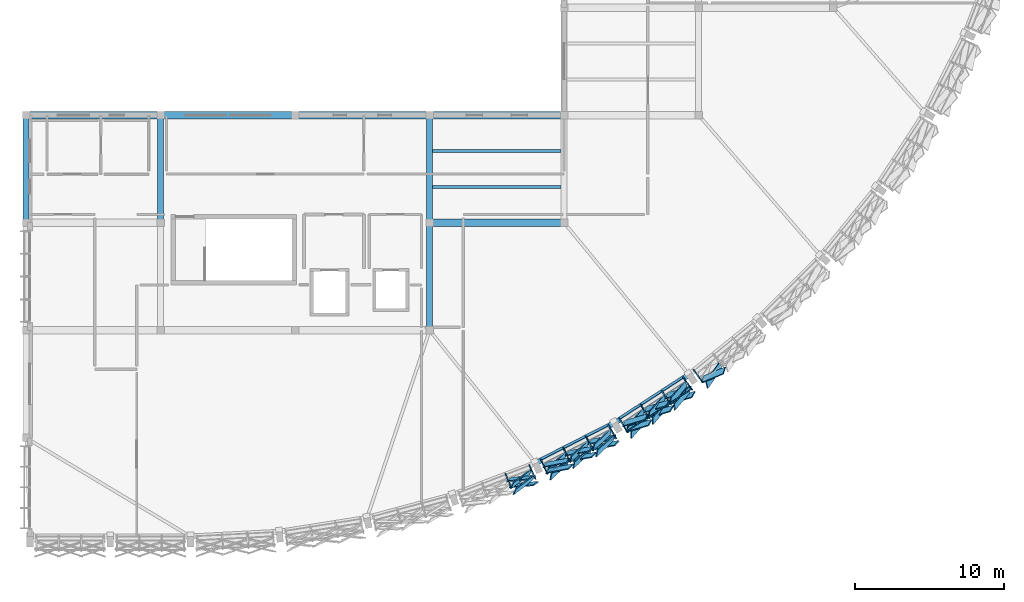
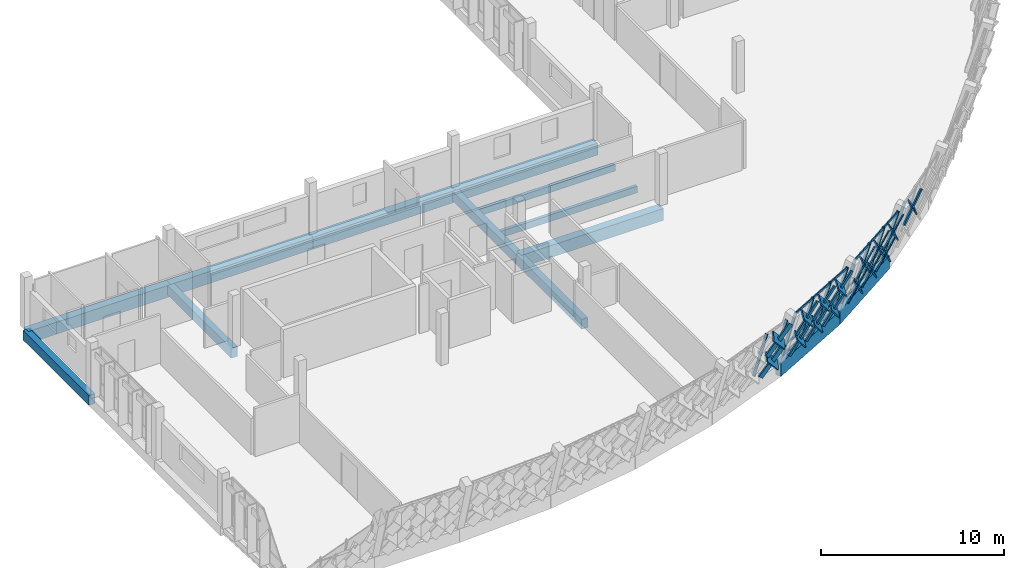
# One storey, part 8 of 24: 47 members, 13 beams, 4 elements without a shape of their own.
"""IFC4 building model written with IfcOpenShell, lengths in metres."""

import ifcopenshell
import ifcopenshell.guid

model = None  # the IFC model being written
_history = None  # IfcOwnerHistory: only IFC2X3 demands one
_inside = {}  # id of a spatial element -> (the spatial element, [elements in it])
_under = {}  # id of a project, library or spatial element -> (it, [spatial elements below it])
_declared = {}  # id of a project -> (the project, [libraries it declares])
_typed = {}  # id of a type object -> (the type object, [elements of that type])
_made_of = {}  # id of a material, layer set ... -> (it, [elements and type objects made of it])


def new_model(schema):
    """Start an empty IFC model of exactly this schema.

    Asked for "IFC4X3", IfcOpenShell would pick the latest addendum, in which some entities
    have other attributes; the version numbers below select the first issue.
    IFC2X3 requires an IfcOwnerHistory on every rooted entity: one is made here for all.
    """
    global model, _history
    if schema == "IFC4X3":
        model = ifcopenshell.file(schema_version=(4, 3, 0, 0))
    else:
        model = ifcopenshell.file(schema=schema)
    _inside.clear()
    _under.clear()
    _declared.clear()
    _typed.clear()
    _made_of.clear()
    _history = None
    if model.schema == "IFC2X3":
        org = make("IfcOrganization", Name="unknown")
        user = make(
            "IfcPersonAndOrganization",
            ThePerson=make("IfcPerson", FamilyName="unknown"),
            TheOrganization=org,
        )
        app = make(
            "IfcApplication",
            ApplicationDeveloper=org,
            Version="unknown",
            ApplicationFullName="unknown",
            ApplicationIdentifier="unknown",
        )
        _history = make(
            "IfcOwnerHistory",
            OwningUser=user,
            OwningApplication=app,
            ChangeAction="ADDED",
            CreationDate=0,
        )
    return model


def make(cls, **values):
    """One entity of the class cls with the attributes given. An attribute that is None is left unset."""
    return model.create_entity(
        cls, **{name: value for name, value in values.items() if value is not None}
    )


def rooted(cls, **values):
    """An entity with a GlobalId (a new one), such as an element, a storey or a relation."""
    return make(cls, GlobalId=ifcopenshell.guid.new(), OwnerHistory=_history, **values)


def si_unit(unit_type, name, prefix=None):
    """IfcSIUnit, for example si_unit("LENGTHUNIT", "METRE", prefix="MILLI")."""
    return make("IfcSIUnit", UnitType=unit_type, Prefix=prefix, Name=name)


def assignment(units):
    """IfcUnitAssignment: the units of a project."""
    return None if units is None else make("IfcUnitAssignment", Units=units)


def point(xyz):
    """IfcCartesianPoint."""
    return None if xyz is None else make("IfcCartesianPoint", Coordinates=xyz)


def direction(xyz):
    """IfcDirection."""
    return None if xyz is None else make("IfcDirection", DirectionRatios=xyz)


def frame(location, z_axis=None, x_axis=None):
    """IfcAxis2Placement3D, a coordinate frame: its origin and axes. An axis left out is left unset."""
    return make(
        "IfcAxis2Placement3D",
        Location=point(location),
        Axis=direction(z_axis),
        RefDirection=direction(x_axis),
    )


def frame_2d(location, x_axis=None):
    """IfcAxis2Placement2D, a coordinate frame in the plane: its origin and x axis."""
    return make(
        "IfcAxis2Placement2D", Location=point(location), RefDirection=direction(x_axis)
    )


def origin():
    """The frame at (0, 0, 0) with its axes left unset."""
    return frame((0.0, 0.0, 0.0))


def origin_2d():
    """The frame at (0, 0) in the plane with its x axis left unset."""
    return frame_2d((0.0, 0.0))


def place(relative_to, where):
    """IfcLocalPlacement: puts the frame where relative to a parent placement (None: the world)."""
    return make(
        "IfcLocalPlacement", PlacementRelTo=relative_to, RelativePlacement=where
    )


def context(
    kind, dimensions, precision=None, world=None, true_north=None, identifier=None
):
    """IfcGeometricRepresentationContext, for example the 3D "Model" context."""
    return make(
        "IfcGeometricRepresentationContext",
        ContextIdentifier=identifier,
        ContextType=kind,
        CoordinateSpaceDimension=dimensions,
        Precision=precision,
        WorldCoordinateSystem=world,
        TrueNorth=true_north,
    )


def subcontext(parent, identifier, kind, view, scale=None):
    """IfcGeometricRepresentationSubContext, for example "Body" below "Model"."""
    return make(
        "IfcGeometricRepresentationSubContext",
        ContextIdentifier=identifier,
        ContextType=kind,
        ParentContext=parent,
        TargetScale=scale,
        TargetView=view,
    )


def project(units=None, contexts=None):
    """IfcProject with its units and contexts."""
    return rooted(
        "IfcProject",
        Name="project",
        RepresentationContexts=contexts,
        UnitsInContext=assignment(units),
    )


def spatial(cls, under=None, at=None, **own):
    """A site, building, storey or space (cls), placed at a placement, below another one or the project."""
    s = rooted(cls, ObjectPlacement=at, **own)
    if under is not None:
        _under.setdefault(under.id(), (under, []))[1].append(s)
    return s


def profile(cls, at=None, kind="AREA", **sizes):
    """A parametric profile (cls). Its sizes go by their IFC names, for example OverallWidth=200.0."""
    return make(cls, ProfileType=kind, Position=at, **sizes)


def rectangle(**sizes):
    """IfcRectangleProfileDef."""
    return profile("IfcRectangleProfileDef", **sizes)


def hollow_rectangle(**sizes):
    """IfcRectangleHollowProfileDef."""
    return profile("IfcRectangleHollowProfileDef", **sizes)


def extrude(swept, where, along, depth):
    """IfcExtrudedAreaSolid: the profile swept, set in the frame where, extruded along a direction by depth."""
    return make(
        "IfcExtrudedAreaSolid",
        SweptArea=swept,
        Position=where,
        ExtrudedDirection=direction(along),
        Depth=depth,
    )


def shape(context_of_items, identifier, shape_type, items):
    """IfcShapeRepresentation: the items that make up one representation, for example the "Body"."""
    return make(
        "IfcShapeRepresentation",
        ContextOfItems=context_of_items,
        RepresentationIdentifier=identifier,
        RepresentationType=shape_type,
        Items=items,
    )


def material(Name=None, Category=None):
    """IfcMaterial."""
    return make("IfcMaterial", Name=Name, Category=Category)


def material_profile(
    of_material, cross_section, Name=None, Category=None, Priority=None
):
    """IfcMaterialProfile: a cross section and its material."""
    return make(
        "IfcMaterialProfile",
        Name=Name,
        Material=of_material,
        Profile=cross_section,
        Priority=Priority,
        Category=Category,
    )


def profile_set(profiles, Name=None, composite=None):
    """IfcMaterialProfileSet."""
    return make(
        "IfcMaterialProfileSet",
        Name=Name,
        MaterialProfiles=profiles,
        CompositeProfile=composite,
    )


def made_of(thing, what):
    """Note that an element or type object is made of a material, layer set ...; save() writes the relation."""
    if what is not None:
        _made_of.setdefault(what.id(), (what, []))[1].append(thing)
    return thing


def type_object(cls, material=None, **own):
    """A type object (cls), such as IfcWallType, which elements share."""
    return made_of(rooted(cls, **own), material)


def element(
    cls,
    number,
    at=None,
    inside=None,
    cuts=None,
    type_object=None,
    material=None,
    context=None,
    identifier="Body",
    shape_type=None,
    held_by="IfcProductDefinitionShape",
    body=None,
    shapes=None,
    **own,
):
    """One element of the class cls, such as IfcWall. Its Tag is "e" and its number.

    at: its placement. inside: the storey or other place that contains it. cuts: it is an
    opening in that element (IfcRelVoidsElement). A single representation is given by context,
    identifier, shape_type and body (its items); several are given by shapes. held_by: the class
    of the entity that holds the representations. save() writes the other relations.
    """
    e = rooted(cls, Tag="e%d" % number, ObjectPlacement=at, **own)
    if body is not None:
        shapes = [shape(context, identifier, shape_type, body)]
    if shapes is not None:
        e.Representation = make(held_by, Representations=shapes)
    if inside is not None:
        _inside.setdefault(inside.id(), (inside, []))[1].append(e)
    if cuts is not None:
        rooted(
            "IfcRelVoidsElement", RelatingBuildingElement=cuts, RelatedOpeningElement=e
        )
    if type_object is not None:
        _typed.setdefault(type_object.id(), (type_object, []))[1].append(e)
    return made_of(e, material)


def aggregate(whole, parts):
    """IfcRelAggregates: a whole, such as a stair, and the parts it consists of."""
    return rooted("IfcRelAggregates", RelatingObject=whole, RelatedObjects=parts)


def save(model, path):
    """Write the relations noted so far, then the file.

    IfcRelAggregates (storeys below a building ...), IfcRelContainedInSpatialStructure (elements
    in a storey), IfcRelDefinesByType, IfcRelAssociatesMaterial and IfcRelDeclares: one each for
    every whole, place, type object, material and project.
    """
    for whole, parts in _under.values():
        aggregate(whole, parts)
    for where, things in _inside.values():
        rooted(
            "IfcRelContainedInSpatialStructure",
            RelatedElements=things,
            RelatingStructure=where,
        )
    for kind, things in _typed.values():
        rooted("IfcRelDefinesByType", RelatedObjects=things, RelatingType=kind)
    for what, things in _made_of.values():
        rooted("IfcRelAssociatesMaterial", RelatedObjects=things, RelatingMaterial=what)
    for by, libraries in _declared.values():
        rooted("IfcRelDeclares", RelatingContext=by, RelatedDefinitions=libraries)
    model.write(path)


model = new_model("IFC4")

# Units and contexts
model_context = context("Model", 3, precision=1e-05, world=origin(), true_north=direction((0.0, 1.0)))
body_context = subcontext(model_context, "Body", "Model", "MODEL_VIEW")
ifc_project = project(units=[si_unit("LENGTHUNIT", "METRE"), si_unit("AREAUNIT", "SQUARE_METRE"), si_unit("VOLUMEUNIT", "CUBIC_METRE"), si_unit("PLANEANGLEUNIT", "RADIAN"), si_unit("MASSUNIT", "GRAM", prefix="KILO")], contexts=[model_context])

# Site, building, storey
site_placement = place(None, origin())
site = spatial("IfcSite", under=ifc_project, at=site_placement, CompositionType="ELEMENT")
building_placement = place(site_placement, origin())
building = spatial("IfcBuilding", under=site, at=building_placement, Name="Chiffa Square Polytechnic", CompositionType="ELEMENT")
storey_placement = place(building_placement, frame((0.0, 0.0, 26.39990234375)))
storey = spatial("IfcBuildingStorey", under=building, at=storey_placement, Name="L06", CompositionType="ELEMENT", Elevation=26.39990234375)

# Beams
ifc_material_1 = material(Name="Concrete C35/45", Category="concrete")
ifc_material_profile_1 = material_profile(ifc_material_1, rectangle(XDim=0.39990234375, YDim=0.64990234375, at=origin_2d()), Name="RC 400x650")
ifc_profile_set_1 = profile_set([ifc_material_profile_1], Name="Concrete C35/45")
beam_type_1 = type_object("IfcBeamType", Name="BM-RC-400X650", PredefinedType="BEAM", material=ifc_profile_set_1)
for number, where, z_axis, x_axis, name in (
    (1, (112.199951171875, 21.60009765625, -0.544921875), (0.0, 1.0, 0.0), (-1.0, 0.0, 0.0), "Primary floor girder BM-V1-L06-Y-1122-0216"),
    (2, (121.199951171875, 21.60009765625, -0.544921875), (0.0, 1.0, 0.0), (-1.0, 0.0, 0.0), "Primary floor girder BM-V1-L06-Y-1212-0216"),
):
    element("IfcBeam", number, at=place(storey_placement, frame(where, z_axis=z_axis, x_axis=x_axis)), inside=storey, type_object=beam_type_1, Name=name, PredefinedType="BEAM", context=body_context, shape_type="SweptSolid", body=[
        extrude(rectangle(XDim=0.39990234375, YDim=0.64990234375, at=origin_2d()), origin(), (0.0, 0.0, 1.0), 7.199951171875),
    ])
beam_1_placement = place(storey_placement, frame((139.199951171875, 14.39990234375, -0.544921875), z_axis=(0.0, 1.0, 0.0), x_axis=(-1.0, 0.0, 0.0)))
element("IfcBeam", 3, at=beam_1_placement, inside=storey, type_object=beam_type_1, Name="Primary floor girder BM-V1-L06-Y-1392-0144", PredefinedType="BEAM", context=body_context, shape_type="SweptSolid", body=[
    extrude(rectangle(XDim=0.39990234375, YDim=0.64990234375, at=origin_2d()), origin(), (0.0, 0.0, 1.0), 7.2001953125),
])
beam_2_placement = place(storey_placement, frame((139.199951171875, 21.60009765625, -0.544921875), z_axis=(0.0, 1.0, 0.0), x_axis=(-1.0, 0.0, 0.0)))
element("IfcBeam", 4, at=beam_2_placement, inside=storey, type_object=beam_type_1, Name="Primary floor girder BM-V1-L06-Y-1392-0216", PredefinedType="BEAM", context=body_context, shape_type="SweptSolid", body=[
    extrude(rectangle(XDim=0.39990234375, YDim=0.64990234375, at=origin_2d()), origin(), (0.0, 0.0, 1.0), 7.199951171875),
])
ifc_material_2 = material(Name="Concrete C40/50", Category="concrete")
ifc_material_profile_2 = material_profile(ifc_material_2, rectangle(XDim=0.5, YDim=0.800048828125, at=origin_2d()), Name="RC 500x800")
ifc_profile_set_2 = profile_set([ifc_material_profile_2], Name="Concrete C40/50")
beam_type_2 = type_object("IfcBeamType", Name="BM-RC-500X800", PredefinedType="BEAM", material=ifc_profile_set_2)
for number, where, z_axis, x_axis, name in (
    (5, (139.199951171875, 21.60009765625, -0.619873046875), (1.0, 0.0, 0.0), (0.0, 1.0, 0.0), "Primary floor girder BM-V1-L06-X-1392-0216"),
    (6, (112.199951171875, 28.800048828125, -0.619873046875), (1.0, 0.0, 0.0), (0.0, 1.0, 0.0), "Primary floor girder BM-V1-L06-X-1122-0288"),
    (7, (121.199951171875, 28.800048828125, -0.619873046875), (1.0, 0.0, 0.0), (0.0, 1.0, 0.0), "Primary floor girder BM-V1-L06-X-1212-0288"),
    (8, (130.199951171875, 28.800048828125, -0.619873046875), (1.0, 0.0, 0.0), (0.0, 1.0, 0.0), "Primary floor girder BM-V1-L06-X-1302-0288"),
    (9, (139.199951171875, 28.800048828125, -0.619873046875), (1.0, 0.0, 0.0), (0.0, 1.0, 0.0), "Primary floor girder BM-V1-L06-X-1392-0288"),
):
    element("IfcBeam", number, at=place(storey_placement, frame(where, z_axis=z_axis, x_axis=x_axis)), inside=storey, type_object=beam_type_2, Name=name, PredefinedType="BEAM", context=body_context, shape_type="SweptSolid", body=[
        extrude(rectangle(XDim=0.5, YDim=0.800048828125, at=origin_2d()), origin(), (0.0, 0.0, 1.0), 9.0),
    ])

# Curtain wall, members
ifc_material_3 = material(Name="Aluminium EN AW-6060 T66 and glulam shading", Category="wood")
curtain_wall_type_1 = type_object("IfcCurtainWallType", Name="CW-PROW-LEAN-300", PredefinedType="USERDEFINED", material=ifc_material_3)
curtain_wall_1_placement = place(storey_placement, origin())
curtain_wall_1 = element("IfcCurtainWall", 10, at=curtain_wall_1_placement, inside=storey, type_object=curtain_wall_type_1, Name="Outward-leaning diamond-fin prow curtain wall CW-V1-L06-100", ObjectType="CURTAIN WALL", PredefinedType="USERDEFINED")
ifc_material_4 = material(Name="Aluminium EN AW-6060 T66", Category="aluminium")
ifc_material_profile_3 = material_profile(ifc_material_4, hollow_rectangle(XDim=0.06494140625, YDim=0.179931640625, WallThickness=0.00390625, at=origin_2d()), Name="ALU 65x180x4")
ifc_profile_set_3 = profile_set([ifc_material_profile_3], Name="Aluminium EN AW-6060 T66")
member_type_1 = type_object("IfcMemberType", Name="CWM-ALU-75X180", PredefinedType="MULLION", material=ifc_profile_set_3)
member_1_placement = place(storey_placement, frame((144.3017578125, 4.741943359375, 0.0), z_axis=(0.101866326101, -0.252108195873, 0.962322559842), x_axis=(0.92717363118, 0.374631896193, 0.0)))
member_1 = element("IfcMember", 11, at=member_1_placement, type_object=member_type_1, Name="Leaning prow mullion CW-V1-L06-100-M02", PredefinedType="MULLION", context=body_context, shape_type="SweptSolid", body=[
    extrude(hollow_rectangle(XDim=0.06494140625, YDim=0.179931640625, WallThickness=0.00390625, at=origin_2d()), origin(), (0.0, 0.0, 1.0), 3.341064453125),
])
member_2_placement = place(storey_placement, frame((145.883056640625, 5.34912109375, 0.0), z_axis=(0.110697533717, -0.248722379388, 0.962228265029), x_axis=(0.913601140819, 0.406611553567, 0.0)))
member_2 = element("IfcMember", 12, at=member_2_placement, type_object=member_type_1, Name="Leaning prow mullion CW-V1-L06-100-M03", PredefinedType="MULLION", context=body_context, shape_type="SweptSolid", body=[
    extrude(hollow_rectangle(XDim=0.06494140625, YDim=0.179931640625, WallThickness=0.00390625, at=origin_2d()), origin(), (0.0, 0.0, 1.0), 3.34130859375),
])

curtain_wall_type_2 = type_object("IfcCurtainWallType", Name="CW-PROW-LEAN-150", PredefinedType="USERDEFINED", material=ifc_material_3)
curtain_wall_2_placement = place(storey_placement, origin())
curtain_wall_2 = element("IfcCurtainWall", 13, at=curtain_wall_2_placement, inside=storey, type_object=curtain_wall_type_2, Name="Outward-leaning diamond-fin prow curtain wall CW-V1-L06-101", ObjectType="CURTAIN WALL", PredefinedType="USERDEFINED")
member_3_placement = place(storey_placement, frame((146.6669921875, 5.697998046875, 0.0), z_axis=(0.110769705153, -0.248720366979, 0.962220479656), x_axis=(0.913501422344, 0.40683553357, 0.0)))
member_3 = element("IfcMember", 14, at=member_3_placement, type_object=member_type_1, Name="Leaning prow mullion CW-V1-L06-101-M00", PredefinedType="MULLION", context=body_context, shape_type="SweptSolid", body=[
    extrude(hollow_rectangle(XDim=0.06494140625, YDim=0.179931640625, WallThickness=0.00390625, at=origin_2d()), origin(), (0.0, 0.0, 1.0), 3.34130859375),
])
member_4_placement = place(storey_placement, frame((148.176025390625, 6.467041015625, 0.0), z_axis=(0.11918396519, -0.244433086182, 0.962313695643), x_axis=(0.898843325972, 0.438270094069, 0.0)))
member_4 = element("IfcMember", 15, at=member_4_placement, type_object=member_type_1, Name="Leaning prow mullion CW-V1-L06-101-M01", PredefinedType="MULLION", context=body_context, shape_type="SweptSolid", body=[
    extrude(hollow_rectangle(XDim=0.06494140625, YDim=0.179931640625, WallThickness=0.00390625, at=origin_2d()), origin(), (0.0, 0.0, 1.0), 3.341064453125),
])
member_5_placement = place(storey_placement, frame((149.68505859375, 7.236083984375, 0.0), z_axis=(0.127729998125, -0.240187931257, 0.962286238734), x_axis=(0.882917406039, 0.469528331535, 0.0)))
member_5 = element("IfcMember", 16, at=member_5_placement, type_object=member_type_1, Name="Leaning prow mullion CW-V1-L06-101-M02", PredefinedType="MULLION", context=body_context, shape_type="SweptSolid", body=[
    extrude(hollow_rectangle(XDim=0.06494140625, YDim=0.179931640625, WallThickness=0.00390625, at=origin_2d()), origin(), (0.0, 0.0, 1.0), 3.341064453125),
])
member_6_placement = place(storey_placement, frame((151.194091796875, 8.0048828125, 0.0), z_axis=(0.136124411228, -0.235788231365, 0.962223495149), x_axis=(0.866038107287, 0.499977996243, 0.0)))
member_6 = element("IfcMember", 17, at=member_6_placement, type_object=member_type_1, Name="Leaning prow mullion CW-V1-L06-101-M03", PredefinedType="MULLION", context=body_context, shape_type="SweptSolid", body=[
    extrude(hollow_rectangle(XDim=0.06494140625, YDim=0.179931640625, WallThickness=0.00390625, at=origin_2d()), origin(), (0.0, 0.0, 1.0), 3.34130859375),
])

curtain_wall_3_placement = place(storey_placement, origin())
curtain_wall_3 = element("IfcCurtainWall", 18, at=curtain_wall_3_placement, inside=storey, type_object=curtain_wall_type_1, Name="Outward-leaning diamond-fin prow curtain wall CW-V1-L06-102", ObjectType="CURTAIN WALL", PredefinedType="USERDEFINED")
member_7_placement = place(storey_placement, frame((151.93798828125, 8.43408203125, 0.0), z_axis=(0.136193776849, -0.235854888234, 0.962197342983), x_axis=(0.865989003036, 0.500063042646, 0.0)))
member_7 = element("IfcMember", 19, at=member_7_placement, type_object=member_type_1, Name="Leaning prow mullion CW-V1-L06-102-M00", PredefinedType="MULLION", context=body_context, shape_type="SweptSolid", body=[
    extrude(hollow_rectangle(XDim=0.06494140625, YDim=0.179931640625, WallThickness=0.00390625, at=origin_2d()), origin(), (0.0, 0.0, 1.0), 3.34130859375),
])
member_8_placement = place(storey_placement, frame((153.35791015625, 9.356201171875, 0.0), z_axis=(0.144173836912, -0.230619680331, 0.962303729492), x_axis=(0.847937922125, 0.530095538768, 0.0)))
member_8 = element("IfcMember", 20, at=member_8_placement, type_object=member_type_1, Name="Leaning prow mullion CW-V1-L06-102-M01", PredefinedType="MULLION", context=body_context, shape_type="SweptSolid", body=[
    extrude(hollow_rectangle(XDim=0.06494140625, YDim=0.179931640625, WallThickness=0.00390625, at=origin_2d()), origin(), (0.0, 0.0, 1.0), 3.341064453125),
])
member_9_placement = place(storey_placement, frame((154.778076171875, 10.27880859375, 0.0), z_axis=(0.152136785298, -0.225501498285, 0.962290742359), x_axis=(0.828979446505, 0.559279069224, 0.0)))
member_9 = element("IfcMember", 21, at=member_9_placement, type_object=member_type_1, Name="Leaning prow mullion CW-V1-L06-102-M02", PredefinedType="MULLION", context=body_context, shape_type="SweptSolid", body=[
    extrude(hollow_rectangle(XDim=0.06494140625, YDim=0.179931640625, WallThickness=0.00390625, at=origin_2d()), origin(), (0.0, 0.0, 1.0), 3.341064453125),
])
member_10_placement = place(storey_placement, frame((156.197998046875, 11.200927734375, 0.0), z_axis=(0.160090329179, -0.22022467008, 0.962222521661), x_axis=(0.80886372179, 0.587996156086, 0.0)))
member_10 = element("IfcMember", 22, at=member_10_placement, type_object=member_type_1, Name="Leaning prow mullion CW-V1-L06-102-M03", PredefinedType="MULLION", context=body_context, shape_type="SweptSolid", body=[
    extrude(hollow_rectangle(XDim=0.06494140625, YDim=0.179931640625, WallThickness=0.00390625, at=origin_2d()), origin(), (0.0, 0.0, 1.0), 3.34130859375),
])

# Curtain wall, member
curtain_wall_4_placement = place(storey_placement, origin())
curtain_wall_4 = element("IfcCurtainWall", 23, at=curtain_wall_4_placement, inside=storey, type_object=curtain_wall_type_2, Name="Outward-leaning diamond-fin prow curtain wall CW-V1-L06-103", ObjectType="CURTAIN WALL", PredefinedType="USERDEFINED")
member_11_placement = place(storey_placement, frame((156.89306640625, 11.7060546875, 0.0), z_axis=(0.160087752767, -0.220294191964, 0.962207036142), x_axis=(0.808956477293, 0.587868537894, 0.0)))
member_11 = element("IfcMember", 24, at=member_11_placement, type_object=member_type_1, Name="Leaning prow mullion CW-V1-L06-103-M00", PredefinedType="MULLION", context=body_context, shape_type="SweptSolid", body=[
    extrude(hollow_rectangle(XDim=0.06494140625, YDim=0.179931640625, WallThickness=0.00390625, at=origin_2d()), origin(), (0.0, 0.0, 1.0), 3.34130859375),
])

# Member
ifc_material_5 = material(Name="Glulam GL28h", Category="wood")
ifc_material_profile_4 = material_profile(ifc_material_5, rectangle(XDim=0.080078125, YDim=0.580078125, at=origin_2d()), Name="GL28h 80x580")
ifc_profile_set_4 = profile_set([ifc_material_profile_4], Name="Glulam GL28h")
member_type_2 = type_object("IfcMemberType", Name="CWM-GL-80X580", PredefinedType="MULLION", material=ifc_profile_set_4)
member_12_placement = place(storey_placement, frame((144.527099609375, 4.4150390625, 0.0400390625), z_axis=(0.710225027813, 0.060386599074, 0.701379974422), x_axis=(-0.329540397007, 0.908929820891, 0.255440222822)))
member_12 = element("IfcMember", 25, at=member_12_placement, type_object=member_type_2, Name="Diamond glulam fin CW-V1-L06-100-DF05A", PredefinedType="MULLION", context=body_context, shape_type="SweptSolid", body=[
    extrude(rectangle(XDim=0.080078125, YDim=0.580078125, at=origin_2d()), origin(), (0.0, 0.0, 1.0), 2.23583984375),
])

member_13_placement = place(storey_placement, frame((145.93505859375, 4.955078125, 0.0400390625), z_axis=(-0.560399433572, -0.429532990989, 0.70813408653), x_axis=(0.769345039245, -0.586584295595, 0.253035718331)))
member_13 = element("IfcMember", 26, at=member_13_placement, type_object=member_type_2, Name="Diamond glulam fin CW-V1-L06-100-DF05B", PredefinedType="MULLION", context=body_context, shape_type="SweptSolid", body=[
    extrude(rectangle(XDim=0.080078125, YDim=0.580078125, at=origin_2d()), origin(), (0.0, 0.0, 1.0), 2.21435546875),
])

member_14_placement = place(storey_placement, frame((144.694091796875, 4.00390625, 1.608154296875), z_axis=(0.713032728029, 0.062457009902, 0.698343361588), x_axis=(-0.330772904427, 0.908181538765, 0.256506487918)))
member_14 = element("IfcMember", 27, at=member_14_placement, type_object=member_type_2, Name="Diamond glulam fin CW-V1-L06-100-DF06A", PredefinedType="MULLION", context=body_context, shape_type="SweptSolid", body=[
    extrude(rectangle(XDim=0.080078125, YDim=0.580078125, at=origin_2d()), origin(), (0.0, 0.0, 1.0), 2.24365234375),
])

member_15_placement = place(storey_placement, frame((146.114990234375, 4.550048828125, 1.608154296875), z_axis=(-0.564074607108, -0.430084922398, 0.704873603664), x_axis=(0.766926793809, -0.589240647845, 0.254202186981)))
member_15 = element("IfcMember", 28, at=member_15_placement, type_object=member_type_2, Name="Diamond glulam fin CW-V1-L06-100-DF06B", PredefinedType="MULLION", context=body_context, shape_type="SweptSolid", body=[
    extrude(rectangle(XDim=0.080078125, YDim=0.580078125, at=origin_2d()), origin(), (0.0, 0.0, 1.0), 2.222900390625),
])

aggregate(curtain_wall_1, [member_1, member_2, member_12, member_13, member_14, member_15])

member_16_placement = place(storey_placement, frame((146.925048828125, 5.39599609375, 0.0400390625), z_axis=(0.694095687705, 0.129116131899, 0.708209150458), x_axis=(-0.479047917025, 0.817178667829, 0.320518514347)))
member_16 = element("IfcMember", 29, at=member_16_placement, type_object=member_type_2, Name="Diamond glulam fin CW-V1-L06-101-DF01A", PredefinedType="MULLION", context=body_context, shape_type="SweptSolid", body=[
    extrude(rectangle(XDim=0.080078125, YDim=0.580078125, at=origin_2d()), origin(), (0.0, 0.0, 1.0), 2.214111328125),
])

member_17_placement = place(storey_placement, frame((148.26806640625, 6.080078125, 0.0400390625), z_axis=(-0.519937486241, -0.487277547505, 0.701587914733), x_axis=(0.841691494882, -0.432318609109, 0.323505869594)))
member_17 = element("IfcMember", 30, at=member_17_placement, type_object=member_type_2, Name="Diamond glulam fin CW-V1-L06-101-DF01B", PredefinedType="MULLION", context=body_context, shape_type="SweptSolid", body=[
    extrude(rectangle(XDim=0.080078125, YDim=0.580078125, at=origin_2d()), origin(), (0.0, 0.0, 1.0), 2.235107421875),
])

member_18_placement = place(storey_placement, frame((147.10595703125, 4.990966796875, 1.608154296875), z_axis=(0.696957543342, 0.131372927003, 0.704976125007), x_axis=(-0.479557571659, 0.816303093754, 0.321984152703)))
member_18 = element("IfcMember", 31, at=member_18_placement, type_object=member_type_2, Name="Diamond glulam fin CW-V1-L06-101-DF02A", PredefinedType="MULLION", context=body_context, shape_type="SweptSolid", body=[
    extrude(rectangle(XDim=0.080078125, YDim=0.580078125, at=origin_2d()), origin(), (0.0, 0.0, 1.0), 2.22265625),
])

member_19_placement = place(storey_placement, frame((148.4619140625, 5.681884765625, 1.608154296875), z_axis=(-0.52348529667, -0.488346944462, 0.698197970496), x_axis=(0.839570074157, -0.435302220317, 0.325013949804)))
member_19 = element("IfcMember", 32, at=member_19_placement, type_object=member_type_2, Name="Diamond glulam fin CW-V1-L06-101-DF02B", PredefinedType="MULLION", context=body_context, shape_type="SweptSolid", body=[
    extrude(rectangle(XDim=0.080078125, YDim=0.580078125, at=origin_2d()), origin(), (0.0, 0.0, 1.0), 2.244140625),
])

member_20_placement = place(storey_placement, frame((148.43408203125, 6.1650390625, 0.0400390625), z_axis=(0.697099156855, 0.131673065989, 0.704780085704), x_axis=(-0.479779279733, 0.816137909144, 0.322072594297)))
member_20 = element("IfcMember", 33, at=member_20_placement, type_object=member_type_2, Name="Diamond glulam fin CW-V1-L06-101-DF03A", PredefinedType="MULLION", context=body_context, shape_type="SweptSolid", body=[
    extrude(rectangle(XDim=0.080078125, YDim=0.580078125, at=origin_2d()), origin(), (0.0, 0.0, 1.0), 2.224853515625),
])

member_21_placement = place(storey_placement, frame((149.778076171875, 6.85009765625, 0.0400390625), z_axis=(-0.516383981222, -0.486653779626, 0.704638689481), x_axis=(0.843899381489, -0.429024478918, 0.322136353758)))
member_21 = element("IfcMember", 34, at=member_21_placement, type_object=member_type_2, Name="Diamond glulam fin CW-V1-L06-101-DF03B", PredefinedType="MULLION", context=body_context, shape_type="SweptSolid", body=[
    extrude(rectangle(XDim=0.080078125, YDim=0.580078125, at=origin_2d()), origin(), (0.0, 0.0, 1.0), 2.225341796875),
])

member_22_placement = place(storey_placement, frame((148.62890625, 5.76708984375, 1.608154296875), z_axis=(0.69987276962, 0.133808851924, 0.70162190494), x_axis=(-0.480183956827, 0.815338672158, 0.323490675738)))
member_22 = element("IfcMember", 35, at=member_22_placement, type_object=member_type_2, Name="Diamond glulam fin CW-V1-L06-101-DF04A", PredefinedType="MULLION", context=body_context, shape_type="SweptSolid", body=[
    extrude(rectangle(XDim=0.080078125, YDim=0.580078125, at=origin_2d()), origin(), (0.0, 0.0, 1.0), 2.233154296875),
])

member_23_placement = place(storey_placement, frame((149.985107421875, 6.4580078125, 1.608154296875), z_axis=(-0.51981780261, -0.487575108798, 0.701469860629), x_axis=(0.8418336762, -0.432002170137, 0.323558629328)))
member_23 = element("IfcMember", 36, at=member_23_placement, type_object=member_type_2, Name="Diamond glulam fin CW-V1-L06-101-DF04B", PredefinedType="MULLION", context=body_context, shape_type="SweptSolid", body=[
    extrude(rectangle(XDim=0.080078125, YDim=0.580078125, at=origin_2d()), origin(), (0.0, 0.0, 1.0), 2.233642578125),
])

member_24_placement = place(storey_placement, frame((149.944091796875, 6.93408203125, 0.0400390625), z_axis=(0.699786524856, 0.13414577779, 0.701643591812), x_axis=(-0.480590783975, 0.815102787027, 0.3234809808)))
member_24 = element("IfcMember", 37, at=member_24_placement, type_object=member_type_2, Name="Diamond glulam fin CW-V1-L06-101-DF05A", PredefinedType="MULLION", context=body_context, shape_type="SweptSolid", body=[
    extrude(rectangle(XDim=0.080078125, YDim=0.580078125, at=origin_2d()), origin(), (0.0, 0.0, 1.0), 2.23486328125),
])

member_25_placement = place(storey_placement, frame((151.287109375, 7.618896484375, 0.0400390625), z_axis=(-0.512491419122, -0.485814085625, 0.708051706823), x_axis=(0.846271021765, -0.425496511855, 0.320590199663)))
member_25 = element("IfcMember", 38, at=member_25_placement, type_object=member_type_2, Name="Diamond glulam fin CW-V1-L06-101-DF05B", PredefinedType="MULLION", context=body_context, shape_type="SweptSolid", body=[
    extrude(rectangle(XDim=0.080078125, YDim=0.580078125, at=origin_2d()), origin(), (0.0, 0.0, 1.0), 2.214599609375),
])

member_26_placement = place(storey_placement, frame((150.152099609375, 6.54296875, 1.608154296875), z_axis=(0.702679961826, 0.136858862359, 0.698219537854), x_axis=(-0.481476490111, 0.813973297625, 0.325004400314)))
member_26 = element("IfcMember", 39, at=member_26_placement, type_object=member_type_2, Name="Diamond glulam fin CW-V1-L06-101-DF06A", PredefinedType="MULLION", context=body_context, shape_type="SweptSolid", body=[
    extrude(rectangle(XDim=0.080078125, YDim=0.580078125, at=origin_2d()), origin(), (0.0, 0.0, 1.0), 2.244140625),
])

member_27_placement = place(storey_placement, frame((151.508056640625, 7.23388671875, 1.608154296875), z_axis=(-0.516107148516, -0.486335961363, 0.70506080868), x_axis=(0.844013789324, -0.428942349885, 0.321945933204)))
member_27 = element("IfcMember", 40, at=member_27_placement, type_object=member_type_2, Name="Diamond glulam fin CW-V1-L06-101-DF06B", PredefinedType="MULLION", context=body_context, shape_type="SweptSolid", body=[
    extrude(rectangle(XDim=0.080078125, YDim=0.580078125, at=origin_2d()), origin(), (0.0, 0.0, 1.0), 2.222412109375),
])

member_28_placement = place(storey_placement, frame((152.22607421875, 8.159912109375, 0.0400390625), z_axis=(0.676664661406, 0.201036453348, 0.708314393776), x_axis=(-0.608649782785, 0.694072495786, 0.384459116823)))
member_28 = element("IfcMember", 41, at=member_28_placement, type_object=member_type_2, Name="Diamond glulam fin CW-V1-L06-102-DF01A", PredefinedType="MULLION", context=body_context, shape_type="SweptSolid", body=[
    extrude(rectangle(XDim=0.080078125, YDim=0.580078125, at=origin_2d()), origin(), (0.0, 0.0, 1.0), 2.2138671875),
])

member_29_placement = place(storey_placement, frame((153.489990234375, 8.98193359375, 0.0400390625), z_axis=(-0.465820822612, -0.539124240054, 0.701680849822), x_axis=(0.884455615666, -0.259142772594, 0.3880506247)))
member_29 = element("IfcMember", 42, at=member_29_placement, type_object=member_type_2, Name="Diamond glulam fin CW-V1-L06-102-DF01B", PredefinedType="MULLION", context=body_context, shape_type="SweptSolid", body=[
    extrude(rectangle(XDim=0.080078125, YDim=0.580078125, at=origin_2d()), origin(), (0.0, 0.0, 1.0), 2.23486328125),
])

member_30_placement = place(storey_placement, frame((152.448974609375, 7.777099609375, 1.608154296875), z_axis=(0.679182848383, 0.203392242737, 0.705224966983), x_axis=(-0.608545100386, 0.693230589288, 0.386140144081)))
member_30 = element("IfcMember", 43, at=member_30_placement, type_object=member_type_2, Name="Diamond glulam fin CW-V1-L06-102-DF02A", PredefinedType="MULLION", context=body_context, shape_type="SweptSolid", body=[
    extrude(rectangle(XDim=0.080078125, YDim=0.580078125, at=origin_2d()), origin(), (0.0, 0.0, 1.0), 2.221923828125),
])

member_31_placement = place(storey_placement, frame((153.72412109375, 8.60498046875, 1.608154296875), z_axis=(-0.469460764004, -0.54019546419, 0.698423547376), x_axis=(0.882544568274, -0.263018991863, 0.389789808652)))
member_31 = element("IfcMember", 44, at=member_31_placement, type_object=member_type_2, Name="Diamond glulam fin CW-V1-L06-102-DF02B", PredefinedType="MULLION", context=body_context, shape_type="SweptSolid", body=[
    extrude(rectangle(XDim=0.080078125, YDim=0.580078125, at=origin_2d()), origin(), (0.0, 0.0, 1.0), 2.243408203125),
])

member_32_placement = place(storey_placement, frame((153.64599609375, 9.0830078125, 0.0400390625), z_axis=(0.67956866535, 0.203552377559, 0.704806965533), x_axis=(-0.608368760078, 0.693259264305, 0.386366463627)))
member_32 = element("IfcMember", 45, at=member_32_placement, type_object=member_type_2, Name="Diamond glulam fin CW-V1-L06-102-DF03A", PredefinedType="MULLION", context=body_context, shape_type="SweptSolid", body=[
    extrude(rectangle(XDim=0.080078125, YDim=0.580078125, at=origin_2d()), origin(), (0.0, 0.0, 1.0), 2.224853515625),
])

member_33_placement = place(storey_placement, frame((154.909912109375, 9.904052734375, 0.0400390625), z_axis=(-0.462165364528, -0.537802403996, 0.705104070395), x_axis=(0.886362598806, -0.2553557434, 0.386205628843)))
member_33 = element("IfcMember", 46, at=member_33_placement, type_object=member_type_2, Name="Diamond glulam fin CW-V1-L06-102-DF03B", PredefinedType="MULLION", context=body_context, shape_type="SweptSolid", body=[
    extrude(rectangle(XDim=0.080078125, YDim=0.580078125, at=origin_2d()), origin(), (0.0, 0.0, 1.0), 2.223876953125),
])

member_34_placement = place(storey_placement, frame((153.882080078125, 8.7080078125, 1.608154296875), z_axis=(0.681970996464, 0.206406098321, 0.701649543973), x_axis=(-0.608709469986, 0.692009004323, 0.388067415645)))
member_34 = element("IfcMember", 47, at=member_34_placement, type_object=member_type_2, Name="Diamond glulam fin CW-V1-L06-102-DF04A", PredefinedType="MULLION", context=body_context, shape_type="SweptSolid", body=[
    extrude(rectangle(XDim=0.080078125, YDim=0.580078125, at=origin_2d()), origin(), (0.0, 0.0, 1.0), 2.233154296875),
])

member_35_placement = place(storey_placement, frame((155.157958984375, 9.535888671875, 1.608154296875), z_axis=(-0.466109255274, -0.539020810918, 0.701568761808), x_axis=(0.884311654647, -0.259543741364, 0.388110736483)))
member_35 = element("IfcMember", 48, at=member_35_placement, type_object=member_type_2, Name="Diamond glulam fin CW-V1-L06-102-DF04B", PredefinedType="MULLION", context=body_context, shape_type="SweptSolid", body=[
    extrude(rectangle(XDim=0.080078125, YDim=0.580078125, at=origin_2d()), origin(), (0.0, 0.0, 1.0), 2.2333984375),
])

member_36_placement = place(storey_placement, frame((155.06689453125, 10.006103515625, 0.0400390625), z_axis=(0.682001800146, 0.206250103904, 0.701665475306), x_axis=(-0.608564083205, 0.692141654032, 0.388058871032)))
member_36 = element("IfcMember", 49, at=member_36_placement, type_object=member_type_2, Name="Diamond glulam fin CW-V1-L06-102-DF05A", PredefinedType="MULLION", context=body_context, shape_type="SweptSolid", body=[
    extrude(rectangle(XDim=0.080078125, YDim=0.580078125, at=origin_2d()), origin(), (0.0, 0.0, 1.0), 2.23486328125),
])

member_37_placement = place(storey_placement, frame((156.3310546875, 10.826904296875, 0.0400390625), z_axis=(-0.458902667305, -0.536525799881, 0.708200824627), x_axis=(0.888050551024, -0.252011282404, 0.384521172845)))
member_37 = element("IfcMember", 50, at=member_37_placement, type_object=member_type_2, Name="Diamond glulam fin CW-V1-L06-102-DF05B", PredefinedType="MULLION", context=body_context, shape_type="SweptSolid", body=[
    extrude(rectangle(XDim=0.080078125, YDim=0.580078125, at=origin_2d()), origin(), (0.0, 0.0, 1.0), 2.214111328125),
])

member_38_placement = place(storey_placement, frame((155.31494140625, 9.638916015625, 1.608154296875), z_axis=(0.684599973782, 0.209014073369, 0.69830938203), x_axis=(-0.608644720983, 0.691063100048, 0.389850478223)))
member_38 = element("IfcMember", 51, at=member_38_placement, type_object=member_type_2, Name="Diamond glulam fin CW-V1-L06-102-DF06A", PredefinedType="MULLION", context=body_context, shape_type="SweptSolid", body=[
    extrude(rectangle(XDim=0.080078125, YDim=0.580078125, at=origin_2d()), origin(), (0.0, 0.0, 1.0), 2.243896484375),
])

member_39_placement = place(storey_placement, frame((156.591064453125, 10.467041015625, 1.608154296875), z_axis=(-0.462194409676, -0.537780279383, 0.705101906656), x_axis=(0.886348704066, -0.255402196414, 0.386206800648)))
member_39 = element("IfcMember", 52, at=member_39_placement, type_object=member_type_2, Name="Diamond glulam fin CW-V1-L06-102-DF06B", PredefinedType="MULLION", context=body_context, shape_type="SweptSolid", body=[
    extrude(rectangle(XDim=0.080078125, YDim=0.580078125, at=origin_2d()), origin(), (0.0, 0.0, 1.0), 2.22216796875),
])

member_40_placement = place(storey_placement, frame((157.469970703125, 11.10595703125, 1.608154296875), z_axis=(0.654367792271, 0.273129337069, 0.705126341637), x_axis=(-0.708856720628, 0.546253054242, 0.446239566098)))
member_40 = element("IfcMember", 53, at=member_40_placement, type_object=member_type_2, Name="Diamond glulam fin CW-V1-L06-103-DF02A", PredefinedType="MULLION", context=body_context, shape_type="SweptSolid", body=[
    extrude(rectangle(XDim=0.080078125, YDim=0.580078125, at=origin_2d()), origin(), (0.0, 0.0, 1.0), 2.22216796875),
])

member_41_placement = place(storey_placement, frame((158.652099609375, 12.06298828125, 1.608154296875), z_axis=(-0.410500873979, -0.58642981997, 0.698275804187), x_axis=(0.888664613599, -0.08566132344, 0.450485673694)))
member_41 = element("IfcMember", 54, at=member_41_placement, type_object=member_type_2, Name="Diamond glulam fin CW-V1-L06-103-DF02B", PredefinedType="MULLION", context=body_context, shape_type="SweptSolid", body=[
    extrude(rectangle(XDim=0.080078125, YDim=0.580078125, at=origin_2d()), origin(), (0.0, 0.0, 1.0), 2.243896484375),
])

aggregate(curtain_wall_4, [member_11, member_40, member_41])

ifc_material_profile_5 = material_profile(ifc_material_4, hollow_rectangle(XDim=0.06494140625, YDim=0.139892578125, WallThickness=0.00390625, at=origin_2d()), Name="ALU 65x140x4")
ifc_profile_set_5 = profile_set([ifc_material_profile_5], Name="Aluminium EN AW-6060 T66")
member_type_3 = type_object("IfcMemberType", Name="CWT-ALU-75X140", PredefinedType="USERDEFINED", material=ifc_profile_set_5)
member_42_placement = place(storey_placement, frame((146.671630859375, 5.687744140625, 0.0400390625), z_axis=(0.890990365792, 0.454022210983, 0.0), x_axis=(-0.454022210983, 0.890990365792, 0.0)))
member_42 = element("IfcMember", 55, at=member_42_placement, type_object=member_type_3, Name="Leaning prow transom CW-V1-L06-101-T01", ObjectType="TRANSOM", PredefinedType="USERDEFINED", context=body_context, shape_type="SweptSolid", body=[
    extrude(hollow_rectangle(XDim=0.06494140625, YDim=0.139892578125, WallThickness=0.00390625, at=origin_2d()), origin(), (0.0, 0.0, 1.0), 5.08203125),
])

member_43_placement = place(storey_placement, frame((146.764892578125, 5.478271484375, 0.85009765625), z_axis=(0.890977456582, 0.454047543614, 0.0), x_axis=(-0.454047543614, 0.890977456582, 0.0)))
member_43 = element("IfcMember", 56, at=member_43_placement, type_object=member_type_3, Name="Leaning prow transom CW-V1-L06-101-T02", ObjectType="TRANSOM", PredefinedType="USERDEFINED", context=body_context, shape_type="SweptSolid", body=[
    extrude(hollow_rectangle(XDim=0.06494140625, YDim=0.139892578125, WallThickness=0.00390625, at=origin_2d()), origin(), (0.0, 0.0, 1.0), 5.10595703125),
])

member_44_placement = place(storey_placement, frame((147.032470703125, 4.877197265625, 3.175048828125), z_axis=(0.890985486316, 0.454031786525, 0.0), x_axis=(-0.454031786525, 0.890985486316, 0.0)))
member_44 = element("IfcMember", 57, at=member_44_placement, type_object=member_type_3, Name="Leaning prow transom CW-V1-L06-101-T03", ObjectType="TRANSOM", PredefinedType="USERDEFINED", context=body_context, shape_type="SweptSolid", body=[
    extrude(hollow_rectangle(XDim=0.06494140625, YDim=0.139892578125, WallThickness=0.00390625, at=origin_2d()), origin(), (0.0, 0.0, 1.0), 5.175048828125),
])

aggregate(curtain_wall_2, [member_3, member_4, member_5, member_6, member_42, member_43, member_44, member_16, member_17, member_18, member_19, member_20, member_21, member_22, member_23, member_24, member_25, member_26, member_27])

member_45_placement = place(storey_placement, frame((151.943603515625, 8.42431640625, 0.0400390625), z_axis=(0.838629099204, 0.544702885955, 0.0), x_axis=(-0.544702885955, 0.838629099204, 0.0)))
member_45 = element("IfcMember", 58, at=member_45_placement, type_object=member_type_3, Name="Leaning prow transom CW-V1-L06-102-T01", ObjectType="TRANSOM", PredefinedType="USERDEFINED", context=body_context, shape_type="SweptSolid", body=[
    extrude(hollow_rectangle(XDim=0.06494140625, YDim=0.139892578125, WallThickness=0.00390625, at=origin_2d()), origin(), (0.0, 0.0, 1.0), 5.080810546875),
])

member_46_placement = place(storey_placement, frame((152.058349609375, 8.2255859375, 0.85009765625), z_axis=(0.838612938828, 0.544727765797, 0.0), x_axis=(-0.544727765797, 0.838612938828, 0.0)))
member_46 = element("IfcMember", 59, at=member_46_placement, type_object=member_type_3, Name="Leaning prow transom CW-V1-L06-102-T02", ObjectType="TRANSOM", PredefinedType="USERDEFINED", context=body_context, shape_type="SweptSolid", body=[
    extrude(hollow_rectangle(XDim=0.06494140625, YDim=0.139892578125, WallThickness=0.00390625, at=origin_2d()), origin(), (0.0, 0.0, 1.0), 5.10498046875),
])

member_47_placement = place(storey_placement, frame((152.38720703125, 7.65576171875, 3.175048828125), z_axis=(0.838625759748, 0.544708027375, 0.0), x_axis=(-0.544708027375, 0.838625759748, 0.0)))
member_47 = element("IfcMember", 60, at=member_47_placement, type_object=member_type_3, Name="Leaning prow transom CW-V1-L06-102-T03", ObjectType="TRANSOM", PredefinedType="USERDEFINED", context=body_context, shape_type="SweptSolid", body=[
    extrude(hollow_rectangle(XDim=0.06494140625, YDim=0.139892578125, WallThickness=0.00390625, at=origin_2d()), origin(), (0.0, 0.0, 1.0), 5.174072265625),
])

aggregate(curtain_wall_3, [member_7, member_8, member_9, member_10, member_45, member_46, member_47, member_28, member_29, member_30, member_31, member_32, member_33, member_34, member_35, member_36, member_37, member_38, member_39])

# Beams
ifc_material_profile_6 = material_profile(ifc_material_5, rectangle(XDim=0.199951171875, YDim=0.43994140625, at=origin_2d()), Name="GL28h 200x440")
ifc_profile_set_6 = profile_set([ifc_material_profile_6], Name="Glulam GL28h")
beam_type_3 = type_object("IfcBeamType", Name="JST-GL-200X440", PredefinedType="JOIST", material=ifc_profile_set_6)
for number, where, z_axis, x_axis, name in (
    (61, (139.39794921875, 24.0, -0.43994140625), (1.0, 0.0, 0.0), (0.0, 1.0, 0.0), "Secondary floor joist JST-V1-L06-1392-0240"),
    (62, (139.39794921875, 26.39990234375, -0.43994140625), (1.0, 0.0, 0.0), (0.0, 1.0, 0.0), "Secondary floor joist JST-V1-L06-1392-0264"),
):
    element("IfcBeam", number, at=place(storey_placement, frame(where, z_axis=z_axis, x_axis=x_axis)), inside=storey, type_object=beam_type_3, Name=name, PredefinedType="JOIST", context=body_context, shape_type="SweptSolid", body=[
        extrude(rectangle(XDim=0.199951171875, YDim=0.43994140625, at=origin_2d()), origin(), (0.0, 0.0, 1.0), 8.60400390625),
    ])
ifc_material_6 = material(Name="Glulam GL32c", Category="wood")
ifc_material_profile_7 = material_profile(ifc_material_6, rectangle(XDim=0.360107421875, YDim=0.89990234375, at=origin_2d()), Name="GL32c 360x900")
ifc_profile_set_7 = profile_set([ifc_material_profile_7], Name="Glulam GL32c")
beam_type_4 = type_object("IfcBeamType", Name="RB-GL-360X900", PredefinedType="SPANDREL", material=ifc_profile_set_7)
for number, where, z_axis, x_axis, name in (
    (63, (146.283935546875, 5.5029296875, -0.669921875), (0.890998407113, 0.454006430045, 0.0), (-0.454006430045, 0.890998407113, 0.0), "Prow perimeter edge beam RB-V1-PROW-L06-07"),
    (64, (151.576904296875, 8.199951171875, -0.669921875), (0.838697989178, 0.544596807693, 0.0), (-0.544596807693, 0.838697989178, 0.0), "Prow perimeter edge beam RB-V1-PROW-L06-08"),
):
    element("IfcBeam", number, at=place(storey_placement, frame(where, z_axis=z_axis, x_axis=x_axis)), inside=storey, type_object=beam_type_4, Name=name, PredefinedType="SPANDREL", context=body_context, shape_type="SweptSolid", body=[
        extrude(rectangle(XDim=0.360107421875, YDim=0.89990234375, at=origin_2d()), origin(), (0.0, 0.0, 1.0), 5.9404296875),
    ])

save(model, "model.ifc")
